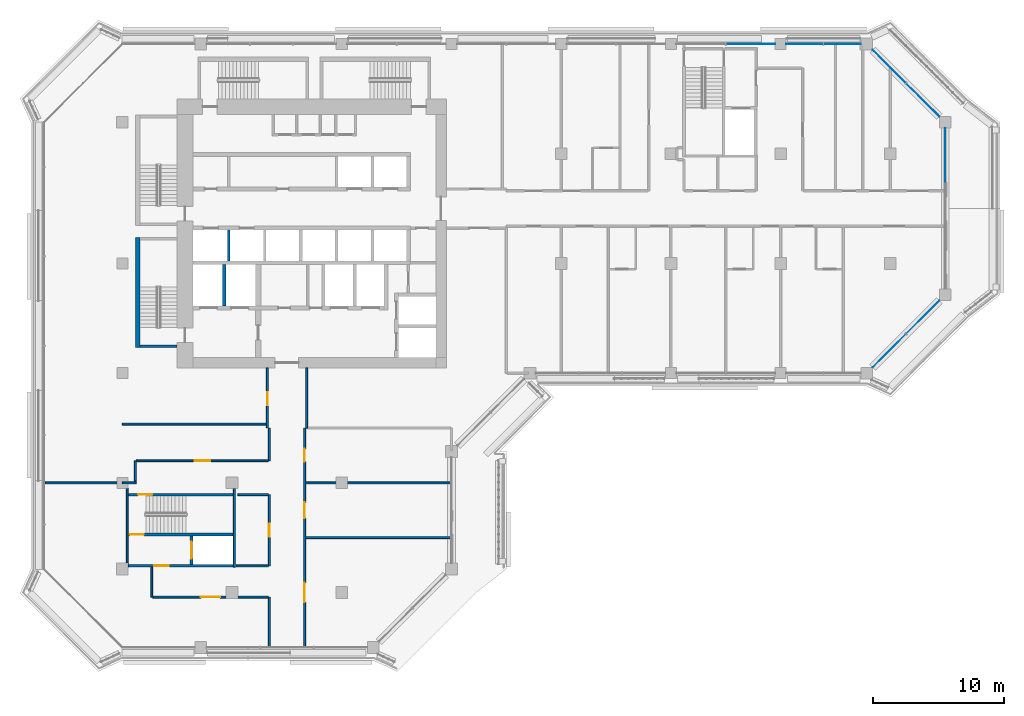
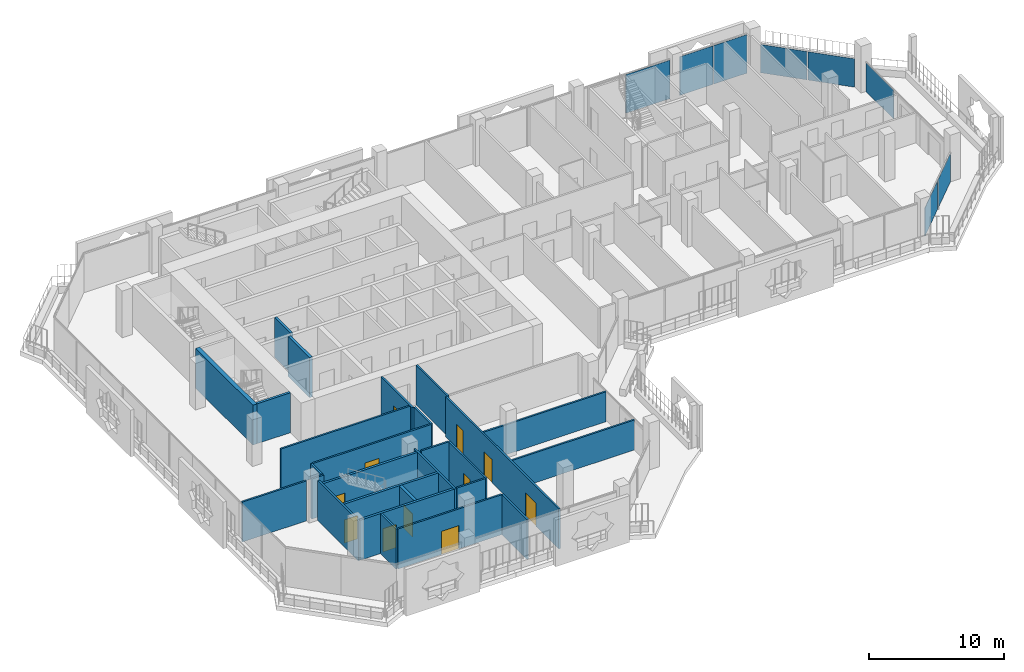
# One storey, part 9 of 21: 27 walls, 11 doors, 8 plates, 11 openings, 4 elements without a shape of their own.
"""IFC4 building model written with IfcOpenShell, lengths in metres."""

from ifc_helpers import new_model, si_unit, direction, frame, frame_2d, origin, origin_2d, place, context, subcontext, project, spatial, rectangle, extrude, material, layer, layer_set, type_object, element, fill, aggregate, save


model = new_model("IFC4")

# Units and contexts
model_context = context("Model", 3, precision=1e-05, world=origin(), true_north=direction((0.0, 1.0)))
body_context = subcontext(model_context, "Body", "Model", "MODEL_VIEW")
ifc_project = project(units=[si_unit("LENGTHUNIT", "METRE"), si_unit("AREAUNIT", "SQUARE_METRE"), si_unit("VOLUMEUNIT", "CUBIC_METRE"), si_unit("PLANEANGLEUNIT", "RADIAN"), si_unit("MASSUNIT", "GRAM", prefix="KILO")], contexts=[model_context])

# Site, building, storey
site_placement = place(None, origin())
site = spatial("IfcSite", under=ifc_project, at=site_placement, CompositionType="ELEMENT")
building_placement = place(site_placement, origin())
building = spatial("IfcBuilding", under=site, at=building_placement, Name="Kawkab Arch Medical Tower", CompositionType="ELEMENT")
storey_placement = place(building_placement, frame((0.0, 0.0, 243.199951171875)))
storey = spatial("IfcBuildingStorey", under=building, at=storey_placement, Name="L56", CompositionType="ELEMENT", Elevation=243.199951171875)

# Curtain wall, plate
ifc_material_1 = material(Name="Bronze anodised aluminium curtain wall frame", Category="aluminium")
ifc_layer_1 = layer(ifc_material_1, 0.159912109375)
ifc_layer_set_1 = layer_set([ifc_layer_1], Name="Bronze anodised aluminium curtain wall frame")
curtain_wall_type_1 = type_object("IfcCurtainWallType", Name="CW1 ward curtain wall", PredefinedType="NOTDEFINED", material=ifc_layer_set_1)
placement = place(storey_placement, origin())
curtain_wall_1 = element("IfcCurtainWall", 1, at=placement, inside=storey, type_object=curtain_wall_type_1, Name="CW1 Ward curtain wall R09", PredefinedType="NOTDEFINED")
ifc_material_2 = material(Name="Tinted insulating glass, bronze low-e coating", Category="glass")
ifc_layer_2 = layer(ifc_material_2, 0.031982421875)
ifc_layer_set_2 = layer_set([ifc_layer_2], Name="Tinted insulating glass, bronze low-e coating")
plate_type_1 = type_object("IfcPlateType", Name="CW1 glazing unit 32", PredefinedType="CURTAIN_PANEL", material=ifc_layer_set_2)
plate_1_placement = place(storey_placement, frame((63.0, -8.5, 0.0), z_axis=(0.0, 0.0, 1.0), x_axis=(0.0, 1.0, 0.0)))
plate_1 = element("IfcPlate", 2, at=plate_1_placement, type_object=plate_type_1, Name="CW1 glazing unit 1.3", PredefinedType="CURTAIN_PANEL", context=body_context, shape_type="SweptSolid", body=[
    extrude(rectangle(XDim=4.10009765625, YDim=0.031982421875, at=origin_2d()), origin(), (0.0, 0.0, 1.0), 2.580078125),
])
aggregate(curtain_wall_1, [plate_1])

# Curtain wall, plates
curtain_wall_2 = element("IfcCurtainWall", 3, at=placement, inside=storey, type_object=curtain_wall_type_1, Name="CW1 Ward curtain wall R11", PredefinedType="NOTDEFINED")
plate_2_placement = place(storey_placement, frame((55.1337890625, 0.0, 0.0), z_axis=(0.0, 0.0, 1.0), x_axis=(-1.0, 0.0, 0.0)))
plate_2 = element("IfcPlate", 4, at=plate_2_placement, type_object=plate_type_1, Name="CW1 glazing unit 1.1", PredefinedType="CURTAIN_PANEL", context=body_context, shape_type="SweptSolid", body=[
    extrude(rectangle(XDim=2.83251953125, YDim=0.031982421875, at=origin_2d()), origin(), (0.0, 0.0, 1.0), 3.47998046875),
])
plate_3_placement = place(storey_placement, frame((52.2412109375, 0.0, 0.0), z_axis=(0.0, 0.0, 1.0), x_axis=(-1.0, 0.0, 0.0)))
plate_3 = element("IfcPlate", 5, at=plate_3_placement, type_object=plate_type_1, Name="CW1 glazing unit 1.2", PredefinedType="CURTAIN_PANEL", context=body_context, shape_type="SweptSolid", body=[
    extrude(rectangle(XDim=2.83251953125, YDim=0.031982421875, at=origin_2d()), origin(), (0.0, 0.0, 1.0), 3.47998046875),
])
plate_4_placement = place(storey_placement, frame((48.1025390625, 0.0, 0.0), z_axis=(0.0, 0.0, 1.0), x_axis=(-1.0, 0.0, 0.0)))
plate_4 = element("IfcPlate", 6, at=plate_4_placement, type_object=plate_type_1, Name="CW1 glazing unit 2.1", PredefinedType="CURTAIN_PANEL", context=body_context, shape_type="SweptSolid", body=[
    extrude(rectangle(XDim=3.7451171875, YDim=0.031982421875, at=origin_2d()), origin(), (0.0, 0.0, 1.0), 3.47998046875),
])
aggregate(curtain_wall_2, [plate_2, plate_3, plate_4])

ifc_material_3 = material(Name="Bronze anodised aluminium curtain wall frame", Category="aluminium")
ifc_layer_3 = layer(ifc_material_3, 0.159912109375)
ifc_layer_set_3 = layer_set([ifc_layer_3], Name="Bronze anodised aluminium curtain wall frame")
curtain_wall_type_2 = type_object("IfcCurtainWallType", Name="CW2 chamfer curtain wall", PredefinedType="NOTDEFINED", material=ifc_layer_set_3)
curtain_wall_3 = element("IfcCurtainWall", 7, at=placement, inside=storey, type_object=curtain_wall_type_2, Name="CW2 Chamfer curtain wall R08", PredefinedType="NOTDEFINED")
ifc_material_4 = material(Name="Tinted insulating glass, bronze low-e coating", Category="glass")
ifc_layer_4 = layer(ifc_material_4, 0.031982421875)
ifc_layer_set_4 = layer_set([ifc_layer_4], Name="Tinted insulating glass, bronze low-e coating")
plate_type_2 = type_object("IfcPlateType", Name="CW2 glazing unit 32", PredefinedType="CURTAIN_PANEL", material=ifc_layer_set_4)
plate_5_placement = place(storey_placement, frame((58.71435546875, -23.485595703125, 0.0), z_axis=(0.0, 0.0, 1.0), x_axis=(0.707106781187, 0.707106781187, 0.0)))
plate_5 = element("IfcPlate", 8, at=plate_5_placement, type_object=plate_type_2, Name="CW2 glazing unit 1.1", PredefinedType="CURTAIN_PANEL", context=body_context, shape_type="SweptSolid", body=[
    extrude(rectangle(XDim=3.576171875, YDim=0.031982421875, at=origin_2d()), origin(), (0.0, 0.0, 1.0), 2.56005859375),
])
plate_6_placement = place(storey_placement, frame((61.28564453125, -20.914306640625, 0.0), z_axis=(0.0, 0.0, 1.0), x_axis=(0.707106781187, 0.707106781187, 0.0)))
plate_6 = element("IfcPlate", 9, at=plate_6_placement, type_object=plate_type_2, Name="CW2 glazing unit 1.2", PredefinedType="CURTAIN_PANEL", context=body_context, shape_type="SweptSolid", body=[
    extrude(rectangle(XDim=3.576171875, YDim=0.031982421875, at=origin_2d()), origin(), (0.0, 0.0, 1.0), 2.56005859375),
])
aggregate(curtain_wall_3, [plate_5, plate_6])

curtain_wall_4 = element("IfcCurtainWall", 10, at=placement, inside=storey, type_object=curtain_wall_type_2, Name="CW2 Chamfer curtain wall R10", PredefinedType="NOTDEFINED")
plate_7_placement = place(storey_placement, frame((61.28564453125, -4.28564453125, 0.0), z_axis=(0.0, 0.0, 1.0), x_axis=(-0.707106781187, 0.707106781187, 0.0)))
plate_7 = element("IfcPlate", 11, at=plate_7_placement, type_object=plate_type_2, Name="CW2 glazing unit 1.1", PredefinedType="CURTAIN_PANEL", context=body_context, shape_type="SweptSolid", body=[
    extrude(rectangle(XDim=3.576171875, YDim=0.031982421875, at=origin_2d()), origin(), (0.0, 0.0, 1.0), 2.56005859375),
])
plate_8_placement = place(storey_placement, frame((58.71435546875, -1.71435546875, 0.0), z_axis=(0.0, 0.0, 1.0), x_axis=(-0.707106781187, 0.707106781187, 0.0)))
plate_8 = element("IfcPlate", 12, at=plate_8_placement, type_object=plate_type_2, Name="CW2 glazing unit 1.2", PredefinedType="CURTAIN_PANEL", context=body_context, shape_type="SweptSolid", body=[
    extrude(rectangle(XDim=3.576171875, YDim=0.031982421875, at=origin_2d()), origin(), (0.0, 0.0, 1.0), 2.56005859375),
])
aggregate(curtain_wall_4, [plate_7, plate_8])

# Wall
ifc_material_5 = material(Name="Concrete C60/75", Category="concrete")
ifc_layer_5 = layer(ifc_material_5, 0.25)
ifc_layer_set_5 = layer_set([ifc_layer_5], Name="Concrete C60/75")
wall_type_1 = type_object("IfcWallType", Name="Core shear wall 250 C60/75", PredefinedType="SHEAR", material=ifc_layer_set_5)
wall_1_placement = place(storey_placement, frame((7.800048828125, -20.050048828125, 0.0), z_axis=(0.0, 0.0, 1.0), x_axis=(0.0, 1.0, 0.0)))
element("IfcWall", 13, at=wall_1_placement, inside=storey, type_object=wall_type_1, Name="L56 core shear wall", PredefinedType="SHEAR", context=body_context, shape_type="SweptSolid", body=[
    extrude(rectangle(XDim=3.150146484375, YDim=0.25, at=frame_2d((1.5751953125, 0.0))), origin(), (0.0, 0.0, 1.0), 3.60009765625),
])

# Wall, opening, door
wall_2_placement = place(storey_placement, frame((5.300048828125, -39.85009765625, 0.0), z_axis=(0.0, 0.0, 1.0), x_axis=(0.0, 1.0, 0.0)))
wall_2 = element("IfcWall", 14, at=wall_2_placement, inside=storey, type_object=wall_type_1, Name="L56 core shear wall", PredefinedType="SHEAR", context=body_context, shape_type="SweptSolid", body=[
    extrude(rectangle(XDim=2.2001953125, YDim=0.25, at=frame_2d((1.10009765625, 0.0))), origin(), (0.0, 0.0, 1.0), 3.60009765625),
])
opening_1_placement = place(wall_2_placement, frame((0.449951171875, 0.0, 0.0)))
opening_1 = element("IfcOpeningElement", 15, at=opening_1_placement, cuts=wall_2, Name="Opening LD2", PredefinedType="OPENING", context=body_context, shape_type="SweptSolid", body=[
    extrude(rectangle(XDim=1.300048828125, YDim=2.10009765625, at=frame_2d((0.64990234375, 1.050048828125))), frame((0.0, 0.135009765625, 0.0), z_axis=(0.0, -1.0, 0.0), x_axis=(1.0, 0.0, 0.0)), (0.0, 0.0, 1.0), 0.27001953125),
])
ifc_material_6 = material(Name="Stainless steel lift door leaf", Category="steel")
door_type_1 = type_object("IfcDoorType", Name="Lift landing door 1300", OperationType="DOUBLE_DOOR_SLIDING", PredefinedType="DOOR", material=ifc_material_6)
door_1_placement = place(opening_1_placement, origin())
door_1 = element("IfcDoor", 16, at=door_1_placement, inside=storey, type_object=door_type_1, Name="L56 Lift landing door SV2", OperationType="DOUBLE_DOOR_SLIDING", OverallHeight=2.10009765625, OverallWidth=1.300048828125, PredefinedType="DOOR", context=body_context, shape_type="SweptSolid", body=[
    extrude(rectangle(XDim=1.300048828125, YDim=2.10009765625, at=frame_2d((0.64990234375, 1.050048828125))), frame((0.0, 0.02490234375, 0.0), z_axis=(0.0, -1.0, 0.0), x_axis=(1.0, 0.0, 0.0)), (0.0, 0.0, 1.0), 0.050048828125),
])
fill(opening_1, door_1)

# Wall
ifc_material_7 = material(Name="Dense concrete blockwork", Category="masonry")
ifc_layer_6 = layer(ifc_material_7, 0.199951171875)
ifc_layer_set_6 = layer_set([ifc_layer_6], Name="Dense concrete blockwork")
wall_type_2 = type_object("IfcWallType", Name="Lift shaft partition 200", PredefinedType="PARTITIONING", material=ifc_layer_set_6)
wall_3_placement = place(storey_placement, frame((8.14990234375, -16.60009765625, 0.0), z_axis=(0.0, 0.0, 1.0), x_axis=(0.0, 1.0, 0.0)))
element("IfcWall", 17, at=wall_3_placement, inside=storey, type_object=wall_type_2, Name="L56 lift shaft partition", PredefinedType="PARTITIONING", context=body_context, shape_type="SweptSolid", body=[
    extrude(rectangle(XDim=2.35009765625, YDim=0.199951171875, at=frame_2d((1.175048828125, 0.0))), origin(), (0.0, 0.0, 1.0), 3.60009765625),
])

# Wall, opening, door
ifc_material_8 = material(Name="Gypsum board partition on steel studs, mineral wool", Category="steel")
ifc_layer_7 = layer(ifc_material_8, 0.14990234375)
ifc_layer_set_7 = layer_set([ifc_layer_7], Name="Gypsum board partition on steel studs, mineral wool")
wall_type_3 = type_object("IfcWallType", Name="Partition 150", PredefinedType="PARTITIONING", material=ifc_layer_set_7)
wall_4_placement = place(storey_placement, frame((2.327880859375, -42.35009765625, 0.0), z_axis=(0.0, 0.0, 1.0), x_axis=(1.0, 0.0, 0.0)))
wall_4 = element("IfcWall", 18, at=wall_4_placement, inside=storey, type_object=wall_type_3, Name="Partition 150 w009", PredefinedType="PARTITIONING", context=body_context, shape_type="SweptSolid", body=[
    extrude(rectangle(XDim=8.84716796875, YDim=0.14990234375, at=frame_2d((4.423583984375, 0.0))), origin(), (0.0, 0.0, 1.0), 3.60009765625),
])
opening_2_placement = place(wall_4_placement, frame((3.674072265625, 0.0, 0.0)))
opening_2 = element("IfcOpeningElement", 19, at=opening_2_placement, cuts=wall_4, Name="Opening W56-003", PredefinedType="OPENING", context=body_context, shape_type="SweptSolid", body=[
    extrude(rectangle(XDim=1.5, YDim=2.10009765625, at=frame_2d((0.75, 1.050048828125))), frame((0.0, 0.0849609375, 0.0), z_axis=(0.0, -1.0, 0.0), x_axis=(1.0, 0.0, 0.0)), (0.0, 0.0, 1.0), 0.169921875),
])
ifc_material_9 = material(Name="Hollow metal door leaf")
door_type_2 = type_object("IfcDoorType", Name="Double door 1500x2100 FD30S", OperationType="NOTDEFINED", PredefinedType="DOOR", material=ifc_material_9)
door_2_placement = place(opening_2_placement, origin())
door_2 = element("IfcDoor", 20, at=door_2_placement, inside=storey, type_object=door_type_2, Name="Door W56-003", OperationType="DOUBLE_DOOR_SINGLE_SWING", OverallHeight=2.10009765625, OverallWidth=1.5, PredefinedType="DOOR", context=body_context, shape_type="SweptSolid", body=[
    extrude(rectangle(XDim=1.5, YDim=2.10009765625, at=frame_2d((0.75, 1.050048828125))), frame((0.0, 0.02490234375, 0.0), z_axis=(0.0, -1.0, 0.0), x_axis=(1.0, 0.0, 0.0)), (0.0, 0.0, 1.0), 0.050048828125),
])
fill(opening_2, door_2)

# Walls
wall_5_placement = place(storey_placement, frame((8.72998046875, -39.949951171875, 0.0), z_axis=(0.0, 0.0, 1.0), x_axis=(1.0, 0.0, 0.0)))
element("IfcWall", 21, at=wall_5_placement, inside=storey, type_object=wall_type_3, Name="Partition 150 w010", PredefinedType="PARTITIONING", context=body_context, shape_type="SweptSolid", body=[
    extrude(rectangle(XDim=2.445068359375, YDim=0.14990234375, at=frame_2d((1.22265625, 0.0))), origin(), (0.0, 0.0, 1.0), 3.60009765625),
])
wall_6_placement = place(storey_placement, frame((14.02490234375, -37.800048828125, 0.0), z_axis=(0.0, 0.0, 1.0), x_axis=(1.0, 0.0, 0.0)))
element("IfcWall", 22, at=wall_6_placement, inside=storey, type_object=wall_type_3, Name="Partition 150 w011", PredefinedType="PARTITIONING", context=body_context, shape_type="SweptSolid", body=[
    extrude(rectangle(XDim=11.09521484375, YDim=0.14990234375, at=frame_2d((5.547607421875, 0.0))), origin(), (0.0, 0.0, 1.0), 2.699951171875),
])
wall_7_placement = place(storey_placement, frame((8.85009765625, -34.5, 0.0), z_axis=(0.0, 0.0, 1.0), x_axis=(1.0, 0.0, 0.0)))
element("IfcWall", 23, at=wall_7_placement, inside=storey, type_object=wall_type_3, Name="Partition 150 w012", PredefinedType="PARTITIONING", context=body_context, shape_type="SweptSolid", body=[
    extrude(rectangle(XDim=2.324951171875, YDim=0.14990234375, at=frame_2d((1.16259765625, 0.0))), origin(), (0.0, 0.0, 1.0), 3.60009765625),
])
wall_8_placement = place(storey_placement, frame((-5.919921875, -33.60009765625, 0.0), z_axis=(0.0, 0.0, 1.0), x_axis=(1.0, 0.0, 0.0)))
element("IfcWall", 24, at=wall_8_placement, inside=storey, type_object=wall_type_3, Name="Partition 150 w013", PredefinedType="PARTITIONING", context=body_context, shape_type="SweptSolid", body=[
    extrude(rectangle(XDim=5.494873046875, YDim=0.14990234375, at=frame_2d((2.74755859375, 0.0))), origin(), (0.0, 0.0, 1.0), 3.60009765625),
])
wall_9_placement = place(storey_placement, frame((0.006103515625, -33.60009765625, 0.0), z_axis=(0.0, 0.0, 1.0), x_axis=(1.0, 0.0, 0.0)))
element("IfcWall", 25, at=wall_9_placement, inside=storey, type_object=wall_type_3, Name="Partition 150 w014", PredefinedType="PARTITIONING", context=body_context, shape_type="SweptSolid", body=[
    extrude(rectangle(XDim=1.04296875, YDim=0.14990234375, at=frame_2d((0.521484375, 0.0))), origin(), (0.0, 0.0, 1.0), 3.60009765625),
])
wall_10_placement = place(storey_placement, frame((14.02490234375, -33.60009765625, 0.0), z_axis=(0.0, 0.0, 1.0), x_axis=(1.0, 0.0, 0.0)))
element("IfcWall", 26, at=wall_10_placement, inside=storey, type_object=wall_type_3, Name="Partition 150 w015", PredefinedType="PARTITIONING", context=body_context, shape_type="SweptSolid", body=[
    extrude(rectangle(XDim=11.09521484375, YDim=0.14990234375, at=frame_2d((5.547607421875, 0.0))), origin(), (0.0, 0.0, 1.0), 2.699951171875),
])

# Wall, opening, door
wall_11_placement = place(storey_placement, frame((1.076904296875, -31.906982421875, 0.0), z_axis=(0.0, 0.0, 1.0), x_axis=(1.0, 0.0, 0.0)))
wall_11 = element("IfcWall", 27, at=wall_11_placement, inside=storey, type_object=wall_type_3, Name="Partition 150 w016", PredefinedType="PARTITIONING", context=body_context, shape_type="SweptSolid", body=[
    extrude(rectangle(XDim=10.09814453125, YDim=0.14990234375, at=frame_2d((5.049072265625, 0.0))), origin(), (0.0, 0.0, 1.0), 3.60009765625),
])
opening_3_placement = place(wall_11_placement, frame((4.448974609375, 0.0, 0.0)))
opening_3 = element("IfcOpeningElement", 28, at=opening_3_placement, cuts=wall_11, Name="Opening W56-028", PredefinedType="OPENING", context=body_context, shape_type="SweptSolid", body=[
    extrude(rectangle(XDim=1.199951171875, YDim=2.10009765625, at=frame_2d((0.60009765625, 1.050048828125))), frame((0.0, 0.0849609375, 0.0), z_axis=(0.0, -1.0, 0.0), x_axis=(1.0, 0.0, 0.0)), (0.0, 0.0, 1.0), 0.169921875),
])
ifc_material_10 = material(Name="Hollow metal door leaf")
door_type_3 = type_object("IfcDoorType", Name="Single door 1200x2100 FD30S", OperationType="NOTDEFINED", PredefinedType="DOOR", material=ifc_material_10)
door_3_placement = place(opening_3_placement, origin())
door_3 = element("IfcDoor", 29, at=door_3_placement, inside=storey, type_object=door_type_3, Name="Door W56-028", OperationType="SINGLE_SWING_RIGHT", OverallHeight=2.10009765625, OverallWidth=1.199951171875, PredefinedType="DOOR", context=body_context, shape_type="SweptSolid", body=[
    extrude(rectangle(XDim=1.199951171875, YDim=2.10009765625, at=frame_2d((0.60009765625, 1.050048828125))), frame((0.0, 0.02490234375, 0.0), z_axis=(0.0, -1.0, 0.0), x_axis=(1.0, 0.0, 0.0)), (0.0, 0.0, 1.0), 0.050048828125),
])
fill(opening_3, door_3)

# Walls
wall_12_placement = place(storey_placement, frame((0.0, -29.10009765625, 0.0), z_axis=(0.0, 0.0, 1.0), x_axis=(1.0, 0.0, 0.0)))
element("IfcWall", 30, at=wall_12_placement, inside=storey, type_object=wall_type_3, Name="Partition 150 w018", PredefinedType="PARTITIONING", context=body_context, shape_type="SweptSolid", body=[
    extrude(rectangle(XDim=11.02490234375, YDim=0.14990234375, at=frame_2d((5.512451171875, 0.0))), origin(), (0.0, 0.0, 1.0), 3.60009765625),
])
wall_13_placement = place(storey_placement, frame((1.0, -33.465087890625, 0.0), z_axis=(0.0, 0.0, 1.0), x_axis=(0.0, 1.0, 0.0)))
element("IfcWall", 31, at=wall_13_placement, inside=storey, type_object=wall_type_3, Name="Partition 150 w029", PredefinedType="PARTITIONING", context=body_context, shape_type="SweptSolid", body=[
    extrude(rectangle(XDim=1.55615234375, YDim=0.14990234375, at=frame_2d((0.778076171875, 0.0))), origin(), (0.0, 0.0, 1.0), 3.60009765625),
])
wall_14_placement = place(storey_placement, frame((2.25, -42.346923828125, 0.0), z_axis=(0.0, 0.0, 1.0), x_axis=(0.0, 1.0, 0.0)))
element("IfcWall", 32, at=wall_14_placement, inside=storey, type_object=wall_type_3, Name="Partition 150 w030", PredefinedType="PARTITIONING", context=body_context, shape_type="SweptSolid", body=[
    extrude(rectangle(XDim=2.296875, YDim=0.14990234375, at=frame_2d((1.1484375, 0.0))), origin(), (0.0, 0.0, 1.0), 3.60009765625),
])

# Wall, opening, door
wall_15_placement = place(storey_placement, frame((11.10009765625, -29.39892578125, 0.0), z_axis=(0.0, 0.0, 1.0), x_axis=(0.0, 1.0, 0.0)))
wall_15 = element("IfcWall", 33, at=wall_15_placement, inside=storey, type_object=wall_type_3, Name="Partition 150 w031", PredefinedType="PARTITIONING", context=body_context, shape_type="SweptSolid", body=[
    extrude(rectangle(XDim=4.598876953125, YDim=0.14990234375, at=frame_2d((2.29931640625, 0.0))), origin(), (0.0, 0.0, 1.0), 3.60009765625),
])
opening_4_placement = place(wall_15_placement, frame((1.7490234375, 0.0, 0.0)))
opening_4 = element("IfcOpeningElement", 34, at=opening_4_placement, cuts=wall_15, Name="Opening W56-019", PredefinedType="OPENING", context=body_context, shape_type="SweptSolid", body=[
    extrude(rectangle(XDim=1.0, YDim=2.10009765625, at=frame_2d((0.5, 1.050048828125))), frame((0.0, 0.0849609375, 0.0), z_axis=(0.0, -1.0, 0.0), x_axis=(1.0, 0.0, 0.0)), (0.0, 0.0, 1.0), 0.169921875),
])
ifc_material_11 = material(Name="Hollow metal door leaf")
door_type_4 = type_object("IfcDoorType", Name="Single door 1000x2100 FD30S", OperationType="NOTDEFINED", PredefinedType="DOOR", material=ifc_material_11)
door_4_placement = place(opening_4_placement, origin())
door_4 = element("IfcDoor", 35, at=door_4_placement, inside=storey, type_object=door_type_4, Name="Door W56-019", OperationType="SINGLE_SWING_LEFT", OverallHeight=2.10009765625, OverallWidth=1.0, PredefinedType="DOOR", context=body_context, shape_type="SweptSolid", body=[
    extrude(rectangle(XDim=1.0, YDim=2.10009765625, at=frame_2d((0.5, 1.050048828125))), frame((0.0, 0.02490234375, 0.0), z_axis=(0.0, -1.0, 0.0), x_axis=(1.0, 0.0, 0.0)), (0.0, 0.0, 1.0), 0.050048828125),
])
fill(opening_4, door_4)

# Wall
wall_16_placement = place(storey_placement, frame((11.25, -46.1201171875, 0.0), z_axis=(0.0, 0.0, 1.0), x_axis=(0.0, 1.0, 0.0)))
element("IfcWall", 36, at=wall_16_placement, inside=storey, type_object=wall_type_3, Name="Partition 150 w032", PredefinedType="PARTITIONING", context=body_context, shape_type="SweptSolid", body=[
    extrude(rectangle(XDim=3.77001953125, YDim=0.14990234375, at=frame_2d((1.885009765625, 0.0))), origin(), (0.0, 0.0, 1.0), 3.60009765625),
])

# Wall, opening, door
wall_17_placement = place(storey_placement, frame((11.25, -39.949951171875, 0.0), z_axis=(0.0, 0.0, 1.0), x_axis=(0.0, 1.0, 0.0)))
wall_17 = element("IfcWall", 37, at=wall_17_placement, inside=storey, type_object=wall_type_3, Name="Partition 150 w033", PredefinedType="PARTITIONING", context=body_context, shape_type="SweptSolid", body=[
    extrude(rectangle(XDim=5.449951171875, YDim=0.14990234375, at=frame_2d((2.72509765625, 0.0))), origin(), (0.0, 0.0, 1.0), 3.60009765625),
])
opening_5_placement = place(wall_17_placement, frame((2.22509765625, 0.0, 0.0)))
opening_5 = element("IfcOpeningElement", 38, at=opening_5_placement, cuts=wall_17, Name="Opening W56-020", PredefinedType="OPENING", context=body_context, shape_type="SweptSolid", body=[
    extrude(rectangle(XDim=1.0, YDim=2.10009765625, at=frame_2d((0.5, 1.050048828125))), frame((0.0, 0.0849609375, 0.0), z_axis=(0.0, -1.0, 0.0), x_axis=(1.0, 0.0, 0.0)), (0.0, 0.0, 1.0), 0.169921875),
])
door_5_placement = place(opening_5_placement, origin())
door_5 = element("IfcDoor", 39, at=door_5_placement, inside=storey, type_object=door_type_4, Name="Door W56-020", OperationType="SINGLE_SWING_LEFT", OverallHeight=2.10009765625, OverallWidth=1.0, PredefinedType="DOOR", context=body_context, shape_type="SweptSolid", body=[
    extrude(rectangle(XDim=1.0, YDim=2.10009765625, at=frame_2d((0.5, 1.050048828125))), frame((0.0, 0.02490234375, 0.0), z_axis=(0.0, -1.0, 0.0), x_axis=(1.0, 0.0, 0.0)), (0.0, 0.0, 1.0), 0.050048828125),
])
fill(opening_5, door_5)

# Wall
wall_18_placement = place(storey_placement, frame((11.25, -31.906982421875, 0.0), z_axis=(0.0, 0.0, 1.0), x_axis=(0.0, 1.0, 0.0)))
element("IfcWall", 40, at=wall_18_placement, inside=storey, type_object=wall_type_3, Name="Partition 150 w034", PredefinedType="PARTITIONING", context=body_context, shape_type="SweptSolid", body=[
    extrude(rectangle(XDim=2.507080078125, YDim=0.14990234375, at=frame_2d((1.25341796875, 0.0))), origin(), (0.0, 0.0, 1.0), 3.60009765625),
])

# Wall, openings, doors
wall_19_placement = place(storey_placement, frame((13.949951171875, -46.1201171875, 0.0), z_axis=(0.0, 0.0, 1.0), x_axis=(0.0, 1.0, 0.0)))
wall_19 = element("IfcWall", 41, at=wall_19_placement, inside=storey, type_object=wall_type_3, Name="Partition 150 w035", PredefinedType="PARTITIONING", context=body_context, shape_type="SweptSolid", body=[
    extrude(rectangle(XDim=16.72021484375, YDim=0.14990234375, at=frame_2d((8.360107421875, 0.0))), origin(), (0.0, 0.0, 1.0), 3.60009765625),
])
opening_6_placement = place(wall_19_placement, frame((14.1201171875, 0.0, 0.0)))
opening_6 = element("IfcOpeningElement", 42, at=opening_6_placement, cuts=wall_19, Name="Opening W56-021", PredefinedType="OPENING", context=body_context, shape_type="SweptSolid", body=[
    extrude(rectangle(XDim=1.0, YDim=2.10009765625, at=frame_2d((0.5, 1.050048828125))), frame((0.0, 0.0849609375, 0.0), z_axis=(0.0, -1.0, 0.0), x_axis=(1.0, 0.0, 0.0)), (0.0, 0.0, 1.0), 0.169921875),
])
opening_7_placement = place(wall_19_placement, frame((9.820068359375, 0.0, 0.0)))
opening_7 = element("IfcOpeningElement", 43, at=opening_7_placement, cuts=wall_19, Name="Opening W56-029", PredefinedType="OPENING", context=body_context, shape_type="SweptSolid", body=[
    extrude(rectangle(XDim=1.199951171875, YDim=2.10009765625, at=frame_2d((0.60009765625, 1.050048828125))), frame((0.0, 0.0849609375, 0.0), z_axis=(0.0, -1.0, 0.0), x_axis=(1.0, 0.0, 0.0)), (0.0, 0.0, 1.0), 0.169921875),
])
opening_8_placement = place(wall_19_placement, frame((3.3701171875, 0.0, 0.0)))
opening_8 = element("IfcOpeningElement", 44, at=opening_8_placement, cuts=wall_19, Name="Opening W56-004", PredefinedType="OPENING", context=body_context, shape_type="SweptSolid", body=[
    extrude(rectangle(XDim=1.5, YDim=2.10009765625, at=frame_2d((0.75, 1.050048828125))), frame((0.0, 0.0849609375, 0.0), z_axis=(0.0, -1.0, 0.0), x_axis=(1.0, 0.0, 0.0)), (0.0, 0.0, 1.0), 0.169921875),
])
door_6_placement = place(opening_8_placement, origin())
door_6 = element("IfcDoor", 45, at=door_6_placement, inside=storey, type_object=door_type_2, Name="Door W56-004", OperationType="DOUBLE_DOOR_SINGLE_SWING", OverallHeight=2.10009765625, OverallWidth=1.5, PredefinedType="DOOR", context=body_context, shape_type="SweptSolid", body=[
    extrude(rectangle(XDim=1.5, YDim=2.10009765625, at=frame_2d((0.75, 1.050048828125))), frame((0.0, 0.02490234375, 0.0), z_axis=(0.0, -1.0, 0.0), x_axis=(1.0, 0.0, 0.0)), (0.0, 0.0, 1.0), 0.050048828125),
])
fill(opening_8, door_6)
door_7_placement = place(opening_6_placement, origin())
door_7 = element("IfcDoor", 46, at=door_7_placement, inside=storey, type_object=door_type_4, Name="Door W56-021", OperationType="SINGLE_SWING_LEFT", OverallHeight=2.10009765625, OverallWidth=1.0, PredefinedType="DOOR", context=body_context, shape_type="SweptSolid", body=[
    extrude(rectangle(XDim=1.0, YDim=2.10009765625, at=frame_2d((0.5, 1.050048828125))), frame((0.0, 0.02490234375, 0.0), z_axis=(0.0, -1.0, 0.0), x_axis=(1.0, 0.0, 0.0)), (0.0, 0.0, 1.0), 0.050048828125),
])
fill(opening_6, door_7)
door_8_placement = place(opening_7_placement, origin())
door_8 = element("IfcDoor", 47, at=door_8_placement, inside=storey, type_object=door_type_3, Name="Door W56-029", OperationType="SINGLE_SWING_LEFT", OverallHeight=2.10009765625, OverallWidth=1.199951171875, PredefinedType="DOOR", context=body_context, shape_type="SweptSolid", body=[
    extrude(rectangle(XDim=1.199951171875, YDim=2.10009765625, at=frame_2d((0.60009765625, 1.050048828125))), frame((0.0, 0.02490234375, 0.0), z_axis=(0.0, -1.0, 0.0), x_axis=(1.0, 0.0, 0.0)), (0.0, 0.0, 1.0), 0.050048828125),
])
fill(opening_7, door_8)

# Walls
wall_20_placement = place(storey_placement, frame((14.10009765625, -29.39990234375, 0.0), z_axis=(0.0, 0.0, 1.0), x_axis=(0.0, 1.0, 0.0)))
element("IfcWall", 48, at=wall_20_placement, inside=storey, type_object=wall_type_3, Name="Partition 150 w036", PredefinedType="PARTITIONING", context=body_context, shape_type="SweptSolid", body=[
    extrude(rectangle(XDim=4.599853515625, YDim=0.14990234375, at=frame_2d((2.2998046875, 0.0))), origin(), (0.0, 0.0, 1.0), 3.60009765625),
])
ifc_material_12 = material(Name="Concrete C50/60", Category="concrete")
ifc_layer_8 = layer(ifc_material_12, 0.14990234375)
ifc_layer_set_8 = layer_set([ifc_layer_8], Name="Concrete C50/60")
wall_type_4 = type_object("IfcWallType", Name="Stair enclosure wall 150 C50/60", PredefinedType="SHEAR", material=ifc_layer_set_8)
wall_21_placement = place(storey_placement, frame((0.375, -40.050048828125, 0.0), z_axis=(0.0, 0.0, 1.0), x_axis=(0.0, 1.0, 0.0)))
element("IfcWall", 49, at=wall_21_placement, inside=storey, type_object=wall_type_4, Name="L56 stair enclosure wall", PredefinedType="SHEAR", context=body_context, shape_type="SweptSolid", body=[
    extrude(rectangle(XDim=6.025146484375, YDim=0.14990234375, at=frame_2d((3.0126953125, 0.0))), origin(), (0.0, 0.0, 1.0), 3.60009765625),
])
wall_22_placement = place(storey_placement, frame((8.574951171875, -40.050048828125, 0.0), z_axis=(0.0, 0.0, 1.0), x_axis=(0.0, 1.0, 0.0)))
element("IfcWall", 50, at=wall_22_placement, inside=storey, type_object=wall_type_4, Name="L56 stair enclosure wall", PredefinedType="SHEAR", context=body_context, shape_type="SweptSolid", body=[
    extrude(rectangle(XDim=6.0, YDim=0.14990234375, at=frame_2d((3.0, 0.0))), origin(), (0.0, 0.0, 1.0), 3.60009765625),
])
ifc_material_13 = material(Name="Concrete C50/60", Category="concrete")
ifc_layer_9 = layer(ifc_material_13, 0.199951171875)
ifc_layer_set_9 = layer_set([ifc_layer_9], Name="Concrete C50/60")
wall_type_5 = type_object("IfcWallType", Name="Stair enclosure wall 200 C50/60", PredefinedType="SHEAR", material=ifc_layer_set_9)
wall_23_placement = place(storey_placement, frame((1.35009765625, -23.14990234375, 0.0), z_axis=(0.0, 0.0, 1.0), x_axis=(1.0, 0.0, 0.0)))
element("IfcWall", 51, at=wall_23_placement, inside=storey, type_object=wall_type_5, Name="L56 stair enclosure wall", PredefinedType="SHEAR", context=body_context, shape_type="SweptSolid", body=[
    extrude(rectangle(XDim=2.849853515625, YDim=0.199951171875, at=frame_2d((1.4248046875, 0.0))), origin(), (0.0, 0.0, 1.0), 3.60009765625),
])

# Wall, opening, door
wall_24_placement = place(storey_placement, frame((0.449951171875, -34.5, 0.0), z_axis=(0.0, 0.0, 1.0), x_axis=(1.0, 0.0, 0.0)))
wall_24 = element("IfcWall", 52, at=wall_24_placement, inside=storey, type_object=wall_type_5, Name="L56 stair enclosure wall", PredefinedType="SHEAR", context=body_context, shape_type="SweptSolid", body=[
    extrude(rectangle(XDim=8.050048828125, YDim=0.199951171875, at=frame_2d((4.02490234375, 0.0))), origin(), (0.0, 0.0, 1.0), 3.60009765625),
])
opening_9_placement = place(wall_24_placement, frame((0.75, 0.0, 0.0)))
opening_9 = element("IfcOpeningElement", 53, at=opening_9_placement, cuts=wall_24, Name="Opening SD", PredefinedType="OPENING", context=body_context, shape_type="SweptSolid", body=[
    extrude(rectangle(XDim=1.10009765625, YDim=2.10009765625, at=frame_2d((0.550048828125, 1.050048828125))), frame((0.0, 0.10986328125, 0.0), z_axis=(0.0, -1.0, 0.0), x_axis=(1.0, 0.0, 0.0)), (0.0, 0.0, 1.0), 0.219970703125),
])
ifc_material_14 = material(Name="Hollow metal fire door leaf")
door_type_5 = type_object("IfcDoorType", Name="Exit stair door 1100", OperationType="SINGLE_SWING_LEFT", PredefinedType="DOOR", material=ifc_material_14)
door_9_placement = place(opening_9_placement, origin())
door_9 = element("IfcDoor", 54, at=door_9_placement, inside=storey, type_object=door_type_5, Name="L56 Exit stair ST6 door", OperationType="SINGLE_SWING_LEFT", OverallHeight=2.10009765625, OverallWidth=1.10009765625, PredefinedType="DOOR", context=body_context, shape_type="SweptSolid", body=[
    extrude(rectangle(XDim=1.10009765625, YDim=2.10009765625, at=frame_2d((0.550048828125, 1.050048828125))), frame((0.0, 0.02490234375, 0.0), z_axis=(0.0, -1.0, 0.0), x_axis=(1.0, 0.0, 0.0)), (0.0, 0.0, 1.0), 0.050048828125),
])
fill(opening_9, door_9)

wall_25_placement = place(storey_placement, frame((0.449951171875, -37.550048828125, 0.0), z_axis=(0.0, 0.0, 1.0), x_axis=(1.0, 0.0, 0.0)))
wall_25 = element("IfcWall", 55, at=wall_25_placement, inside=storey, type_object=wall_type_5, Name="L56 stair enclosure wall", PredefinedType="SHEAR", context=body_context, shape_type="SweptSolid", body=[
    extrude(rectangle(XDim=8.050048828125, YDim=0.199951171875, at=frame_2d((4.02490234375, 0.0))), origin(), (0.0, 0.0, 1.0), 3.60009765625),
])
opening_10_placement = place(wall_25_placement, frame((0.10009765625, 0.0, 0.0)))
opening_10 = element("IfcOpeningElement", 56, at=opening_10_placement, cuts=wall_25, Name="Opening SD", PredefinedType="OPENING", context=body_context, shape_type="SweptSolid", body=[
    extrude(rectangle(XDim=1.10009765625, YDim=2.10009765625, at=frame_2d((0.550048828125, 1.050048828125))), frame((0.0, 0.10986328125, 0.0), z_axis=(0.0, -1.0, 0.0), x_axis=(1.0, 0.0, 0.0)), (0.0, 0.0, 1.0), 0.219970703125),
])
door_10_placement = place(opening_10_placement, frame((1.10009765625, 0.0, 0.0), z_axis=(0.0, 0.0, 1.0), x_axis=(-1.0, 0.0, 0.0)))
door_10 = element("IfcDoor", 57, at=door_10_placement, inside=storey, type_object=door_type_5, Name="L56 Exit stair ST6 lobby door", OperationType="SINGLE_SWING_LEFT", OverallHeight=2.10009765625, OverallWidth=1.10009765625, PredefinedType="DOOR", context=body_context, shape_type="SweptSolid", body=[
    extrude(rectangle(XDim=1.10009765625, YDim=2.10009765625, at=frame_2d((0.550048828125, 1.050048828125))), frame((0.0, 0.02490234375, 0.0), z_axis=(0.0, -1.0, 0.0), x_axis=(1.0, 0.0, 0.0)), (0.0, 0.0, 1.0), 0.050048828125),
])
fill(opening_10, door_10)

wall_26_placement = place(storey_placement, frame((0.449951171875, -39.949951171875, 0.0), z_axis=(0.0, 0.0, 1.0), x_axis=(1.0, 0.0, 0.0)))
wall_26 = element("IfcWall", 58, at=wall_26_placement, inside=storey, type_object=wall_type_5, Name="L56 stair enclosure wall", PredefinedType="SHEAR", context=body_context, shape_type="SweptSolid", body=[
    extrude(rectangle(XDim=8.050048828125, YDim=0.199951171875, at=frame_2d((4.02490234375, 0.0))), origin(), (0.0, 0.0, 1.0), 3.60009765625),
])
opening_11_placement = place(wall_26_placement, frame((2.0, 0.0, 0.0)))
opening_11 = element("IfcOpeningElement", 59, at=opening_11_placement, cuts=wall_26, Name="Opening FD", PredefinedType="OPENING", context=body_context, shape_type="SweptSolid", body=[
    extrude(rectangle(XDim=1.10009765625, YDim=2.10009765625, at=frame_2d((0.550048828125, 1.050048828125))), frame((0.0, 0.10986328125, 0.0), z_axis=(0.0, -1.0, 0.0), x_axis=(1.0, 0.0, 0.0)), (0.0, 0.0, 1.0), 0.219970703125),
])
ifc_material_15 = material(Name="Hollow metal fire door leaf")
door_type_6 = type_object("IfcDoorType", Name="Firefighting lobby door 1100", OperationType="SINGLE_SWING_LEFT", PredefinedType="DOOR", material=ifc_material_15)
door_11_placement = place(opening_11_placement, origin())
door_11 = element("IfcDoor", 60, at=door_11_placement, inside=storey, type_object=door_type_6, Name="L56 Service lift lobby door SV2", OperationType="SINGLE_SWING_LEFT", OverallHeight=2.10009765625, OverallWidth=1.10009765625, PredefinedType="DOOR", context=body_context, shape_type="SweptSolid", body=[
    extrude(rectangle(XDim=1.10009765625, YDim=2.10009765625, at=frame_2d((0.550048828125, 1.050048828125))), frame((0.0, 0.02490234375, 0.0), z_axis=(0.0, -1.0, 0.0), x_axis=(1.0, 0.0, 0.0)), (0.0, 0.0, 1.0), 0.050048828125),
])
fill(opening_11, door_11)

# Wall
ifc_material_16 = material(Name="Concrete C50/60", Category="concrete")
ifc_layer_10 = layer(ifc_material_16, 0.35009765625)
ifc_layer_set_10 = layer_set([ifc_layer_10], Name="Concrete C50/60")
wall_type_6 = type_object("IfcWallType", Name="Stair enclosure wall 350 C50/60", PredefinedType="SHEAR", material=ifc_layer_set_10)
wall_27_placement = place(storey_placement, frame((1.175048828125, -23.25, 0.0), z_axis=(0.0, 0.0, 1.0), x_axis=(0.0, 1.0, 0.0)))
element("IfcWall", 61, at=wall_27_placement, inside=storey, type_object=wall_type_6, Name="L56 stair enclosure wall", PredefinedType="SHEAR", context=body_context, shape_type="SweptSolid", body=[
    extrude(rectangle(XDim=8.449951171875, YDim=0.35009765625, at=frame_2d((4.22509765625, 0.0))), origin(), (0.0, 0.0, 1.0), 3.60009765625),
])

save(model, "model.ifc")
